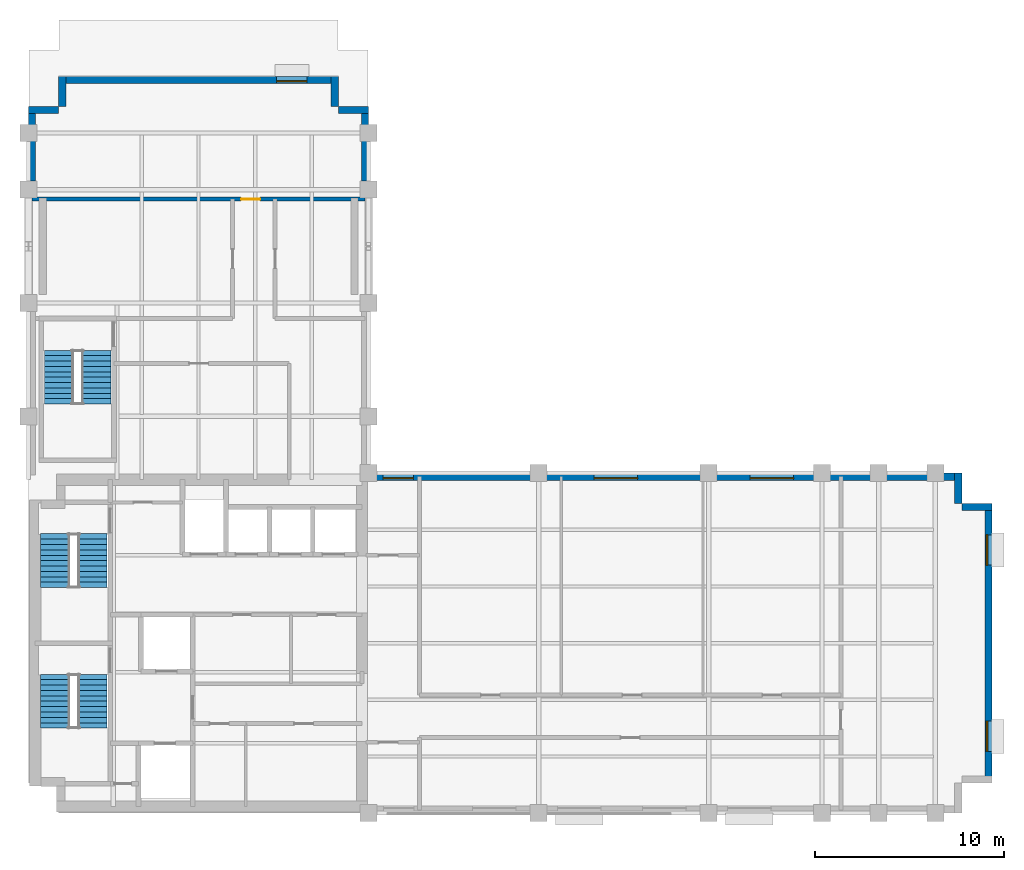
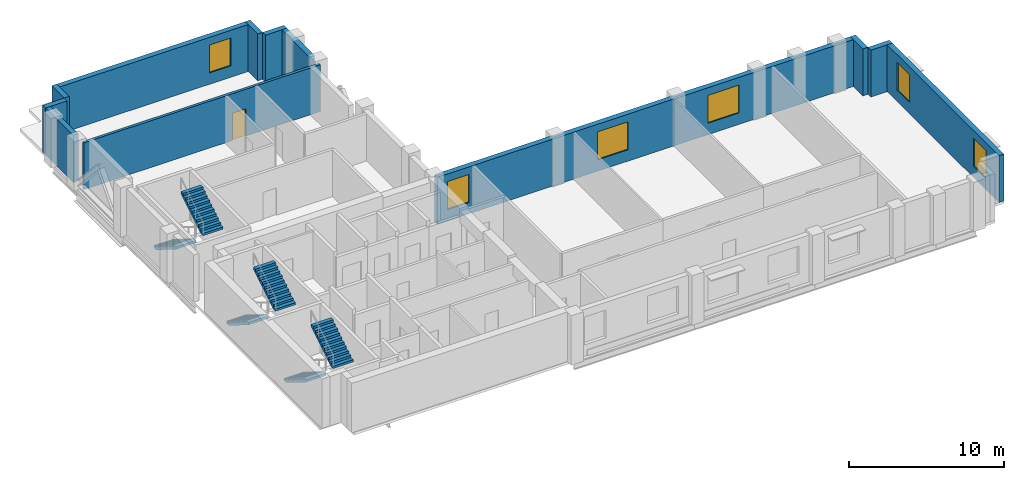
# One storey, part 5 of 6: 12 walls, 6 stair flights, 6 windows, 1 door, 7 openings, 3 elements without a shape of their own.
"""IFC4 building model written with IfcOpenShell, lengths in metres."""

from ifc_helpers import new_model, si_unit, direction, frame, frame_2d, origin, place, context, subcontext, project, spatial, polyline, rectangle, outline, extrude, material, layer, layer_set, type_object, element, fill, aggregate, save


model = new_model("IFC4")

# Units and contexts
model_context = context("Model", 3, precision=1e-05, world=origin(), true_north=direction((0.0, 1.0)))
body_context = subcontext(model_context, "Body", "Model", "MODEL_VIEW")
ifc_project = project(units=[si_unit("LENGTHUNIT", "METRE"), si_unit("AREAUNIT", "SQUARE_METRE"), si_unit("VOLUMEUNIT", "CUBIC_METRE"), si_unit("PLANEANGLEUNIT", "RADIAN"), si_unit("MASSUNIT", "GRAM", prefix="KILO")], contexts=[model_context])

# Site, building, storey
site_placement = place(None, origin())
site = spatial("IfcSite", under=ifc_project, at=site_placement, CompositionType="ELEMENT")
building_placement = place(site_placement, origin())
building = spatial("IfcBuilding", under=site, at=building_placement, Name="Mawjdan Bourse Tower", CompositionType="ELEMENT")
storey_placement = place(building_placement, frame((0.0, 0.0, 199.5)))
storey = spatial("IfcBuildingStorey", under=building, at=storey_placement, Name="L48", CompositionType="ELEMENT", Elevation=199.5)

# Wall, openings, windows
ifc_material_1 = material(Name="Brick Masonry Terracotta Red", Category="masonry")
ifc_layer_1 = layer(ifc_material_1, 0.3798828125)
ifc_layer_set_1 = layer_set([ifc_layer_1], Name="Brick Masonry Terracotta Red")
wall_type_1 = type_object("IfcWallType", Name="WL-BRK-RED-380", PredefinedType="STANDARD", material=ifc_layer_set_1)
wall_1_placement = place(storey_placement, frame((56.81005859375, 4.60009765625, 0.0), z_axis=(0.0, 0.0, 1.0), x_axis=(0.0, 1.0, 0.0)))
wall_1 = element("IfcWall", 1, at=wall_1_placement, inside=storey, type_object=wall_type_1, Name="L48 Exterior Brick Wall 4", PredefinedType="STANDARD", context=body_context, shape_type="SweptSolid", body=[
    extrude(rectangle(XDim=14.7998046875, YDim=0.3798828125, at=frame_2d((7.39990234375, 0.0))), origin(), (0.0, 0.0, 1.0), 3.699951171875),
])
opening_1_placement = place(wall_1_placement, frame((1.666748046875, 0.0, 0.89990234375)))
opening_1 = element("IfcOpeningElement", 2, at=opening_1_placement, cuts=wall_1, Name="Opening W-L48-05", PredefinedType="OPENING", context=body_context, shape_type="SweptSolid", body=[
    extrude(rectangle(XDim=1.60009765625, YDim=2.199951171875, at=frame_2d((0.800048828125, 1.10009765625))), frame((0.0, 0.199951171875, 0.0), z_axis=(0.0, -1.0, 0.0), x_axis=(1.0, 0.0, 0.0)), (0.0, 0.0, 1.0), 0.39990234375),
])
opening_2_placement = place(wall_1_placement, frame((11.533203125, 0.0, 0.89990234375)))
opening_2 = element("IfcOpeningElement", 3, at=opening_2_placement, cuts=wall_1, Name="Opening W-L48-06", PredefinedType="OPENING", context=body_context, shape_type="SweptSolid", body=[
    extrude(rectangle(XDim=1.60009765625, YDim=2.199951171875, at=frame_2d((0.800048828125, 1.10009765625))), frame((0.0, 0.199951171875, 0.0), z_axis=(0.0, -1.0, 0.0), x_axis=(1.0, 0.0, 0.0)), (0.0, 0.0, 1.0), 0.39990234375),
])
ifc_material_2 = material(Name="Solar-Control Clear Double Glazing", Category="glass")
window_type_1 = type_object("IfcWindowType", Name="WN-Z3-1600", PartitioningType="SINGLE_PANEL", PredefinedType="WINDOW", material=ifc_material_2)
window_1_placement = place(opening_1_placement, origin())
window_1 = element("IfcWindow", 4, at=window_1_placement, inside=storey, type_object=window_type_1, Name="L48 Deep-Set Masonry Window W-L48-05", OverallHeight=2.199951171875, OverallWidth=1.60009765625, PartitioningType="SINGLE_PANEL", PredefinedType="WINDOW", context=body_context, shape_type="SweptSolid", body=[
    extrude(rectangle(XDim=1.60009765625, YDim=2.199951171875, at=frame_2d((0.800048828125, 1.10009765625))), frame((0.0, 0.110107421875, 0.0), z_axis=(0.0, -1.0, 0.0), x_axis=(1.0, 0.0, 0.0)), (0.0, 0.0, 1.0), 0.06005859375),
])
fill(opening_1, window_1)
window_2_placement = place(opening_2_placement, origin())
window_2 = element("IfcWindow", 5, at=window_2_placement, inside=storey, type_object=window_type_1, Name="L48 Deep-Set Masonry Window W-L48-06", OverallHeight=2.199951171875, OverallWidth=1.60009765625, PartitioningType="SINGLE_PANEL", PredefinedType="WINDOW", context=body_context, shape_type="SweptSolid", body=[
    extrude(rectangle(XDim=1.60009765625, YDim=2.199951171875, at=frame_2d((0.800048828125, 1.10009765625))), frame((0.0, 0.110107421875, 0.0), z_axis=(0.0, -1.0, 0.0), x_axis=(1.0, 0.0, 0.0)), (0.0, 0.0, 1.0), 0.06005859375),
])
fill(opening_2, window_2)

# Walls
for number, where, z_axis, x_axis, name in (
    (6, (57.0, 19.2099609375, 0.0), (0.0, 0.0, 1.0), (-1.0, 0.0, 0.0), "L48 Exterior Brick Wall 5"),
    (7, (55.2099609375, 19.39990234375, 0.0), (0.0, 0.0, 1.0), (0.0, 1.0, 0.0), "L48 Exterior Brick Wall 6"),
):
    element("IfcWall", number, at=place(storey_placement, frame(where, z_axis=z_axis, x_axis=x_axis)), inside=storey, type_object=wall_type_1, Name=name, PredefinedType="STANDARD", context=body_context, shape_type="SweptSolid", body=[
        extrude(rectangle(XDim=1.60009765625, YDim=0.3798828125, at=frame_2d((0.800048828125, 0.0))), origin(), (0.0, 0.0, 1.0), 3.699951171875),
    ])

# Wall, openings, windows
wall_2_placement = place(storey_placement, frame((55.39990234375, 20.81005859375, 0.0), z_axis=(0.0, 0.0, 1.0), x_axis=(-1.0, 0.0, 0.0)))
wall_2 = element("IfcWall", 8, at=wall_2_placement, inside=storey, type_object=wall_type_1, Name="L48 Exterior Brick Wall 7", PredefinedType="STANDARD", context=body_context, shape_type="SweptSolid", body=[
    extrude(rectangle(XDim=31.39990234375, YDim=0.3798828125, at=frame_2d((15.699951171875, 0.0))), origin(), (0.0, 0.0, 1.0), 3.699951171875),
])
opening_3_placement = place(wall_2_placement, frame((17.166748046875, 0.0, 0.89990234375)))
opening_3 = element("IfcOpeningElement", 9, at=opening_3_placement, cuts=wall_2, Name="Opening W-L48-07", PredefinedType="OPENING", context=body_context, shape_type="SweptSolid", body=[
    extrude(rectangle(XDim=2.300048828125, YDim=2.199951171875, at=frame_2d((1.14990234375, 1.10009765625))), frame((0.0, 0.199951171875, 0.0), z_axis=(0.0, -1.0, 0.0), x_axis=(1.0, 0.0, 0.0)), (0.0, 0.0, 1.0), 0.39990234375),
])
opening_4_placement = place(wall_2_placement, frame((29.03369140625, 0.0, 0.89990234375)))
opening_4 = element("IfcOpeningElement", 10, at=opening_4_placement, cuts=wall_2, Name="Opening W-L48-10", PredefinedType="OPENING", context=body_context, shape_type="SweptSolid", body=[
    extrude(rectangle(XDim=1.60009765625, YDim=2.199951171875, at=frame_2d((0.800048828125, 1.10009765625))), frame((0.0, 0.199951171875, 0.0), z_axis=(0.0, -1.0, 0.0), x_axis=(1.0, 0.0, 0.0)), (0.0, 0.0, 1.0), 0.39990234375),
])
opening_5_placement = place(wall_2_placement, frame((8.904296875, 0.0, 0.89990234375)))
opening_5 = element("IfcOpeningElement", 11, at=opening_5_placement, cuts=wall_2, Name="Opening W-L48-11", PredefinedType="OPENING", context=body_context, shape_type="SweptSolid", body=[
    extrude(rectangle(XDim=2.300048828125, YDim=2.199951171875, at=frame_2d((1.14990234375, 1.10009765625))), frame((0.0, 0.199951171875, 0.0), z_axis=(0.0, -1.0, 0.0), x_axis=(1.0, 0.0, 0.0)), (0.0, 0.0, 1.0), 0.39990234375),
])
window_3_placement = place(opening_4_placement, origin())
window_3 = element("IfcWindow", 12, at=window_3_placement, inside=storey, type_object=window_type_1, Name="L48 Deep-Set Masonry Window W-L48-10", OverallHeight=2.199951171875, OverallWidth=1.60009765625, PartitioningType="SINGLE_PANEL", PredefinedType="WINDOW", context=body_context, shape_type="SweptSolid", body=[
    extrude(rectangle(XDim=1.60009765625, YDim=2.199951171875, at=frame_2d((0.800048828125, 1.10009765625))), frame((0.0, 0.110107421875, 0.0), z_axis=(0.0, -1.0, 0.0), x_axis=(1.0, 0.0, 0.0)), (0.0, 0.0, 1.0), 0.06005859375),
])
fill(opening_4, window_3)
window_type_2 = type_object("IfcWindowType", Name="WN-Z3-2300", PartitioningType="SINGLE_PANEL", PredefinedType="WINDOW", material=ifc_material_2)
window_4_placement = place(opening_3_placement, origin())
window_4 = element("IfcWindow", 13, at=window_4_placement, inside=storey, type_object=window_type_2, Name="L48 Deep-Set Masonry Window W-L48-07", OverallHeight=2.199951171875, OverallWidth=2.300048828125, PartitioningType="SINGLE_PANEL", PredefinedType="WINDOW", context=body_context, shape_type="SweptSolid", body=[
    extrude(rectangle(XDim=2.300048828125, YDim=2.199951171875, at=frame_2d((1.14990234375, 1.10009765625))), frame((0.0, 0.110107421875, 0.0), z_axis=(0.0, -1.0, 0.0), x_axis=(1.0, 0.0, 0.0)), (0.0, 0.0, 1.0), 0.06005859375),
])
fill(opening_3, window_4)
window_5_placement = place(opening_5_placement, origin())
window_5 = element("IfcWindow", 14, at=window_5_placement, inside=storey, type_object=window_type_2, Name="L48 Deep-Set Masonry Window W-L48-11", OverallHeight=2.199951171875, OverallWidth=2.300048828125, PartitioningType="SINGLE_PANEL", PredefinedType="WINDOW", context=body_context, shape_type="SweptSolid", body=[
    extrude(rectangle(XDim=2.300048828125, YDim=2.199951171875, at=frame_2d((1.14990234375, 1.10009765625))), frame((0.0, 0.110107421875, 0.0), z_axis=(0.0, -1.0, 0.0), x_axis=(1.0, 0.0, 0.0)), (0.0, 0.0, 1.0), 0.06005859375),
])
fill(opening_5, window_5)

# Walls
wall_3_placement = place(storey_placement, frame((23.81005859375, 36.449951171875, 0.0), z_axis=(0.0, 0.0, 1.0), x_axis=(0.0, 1.0, 0.0)))
element("IfcWall", 15, at=wall_3_placement, inside=storey, type_object=wall_type_1, Name="L48 Exterior Brick Wall 8P3", PredefinedType="STANDARD", context=body_context, shape_type="SweptSolid", body=[
    extrude(rectangle(XDim=3.949951171875, YDim=0.3798828125, at=frame_2d((1.97509765625, 0.0))), origin(), (0.0, 0.0, 1.0), 3.699951171875),
])
for number, where, z_axis, x_axis, name in (
    (16, (24.0, 40.2099609375, 0.0), (0.0, 0.0, 1.0), (-1.0, 0.0, 0.0), "L48 Exterior Brick Wall 9"),
    (17, (22.2099609375, 40.39990234375, 0.0), (0.0, 0.0, 1.0), (0.0, 1.0, 0.0), "L48 Exterior Brick Wall 10"),
):
    element("IfcWall", number, at=place(storey_placement, frame(where, z_axis=z_axis, x_axis=x_axis)), inside=storey, type_object=wall_type_1, Name=name, PredefinedType="STANDARD", context=body_context, shape_type="SweptSolid", body=[
        extrude(rectangle(XDim=1.60009765625, YDim=0.3798828125, at=frame_2d((0.800048828125, 0.0))), origin(), (0.0, 0.0, 1.0), 3.699951171875),
    ])

# Wall, opening, window
wall_4_placement = place(storey_placement, frame((22.39990234375, 41.81005859375, 0.0), z_axis=(0.0, 0.0, 1.0), x_axis=(-1.0, 0.0, 0.0)))
wall_4 = element("IfcWall", 18, at=wall_4_placement, inside=storey, type_object=wall_type_1, Name="L48 Exterior Brick Wall 11", PredefinedType="STANDARD", context=body_context, shape_type="SweptSolid", body=[
    extrude(rectangle(XDim=14.7998046875, YDim=0.3798828125, at=frame_2d((7.39990234375, 0.0))), origin(), (0.0, 0.0, 1.0), 3.699951171875),
])
opening_6_placement = place(wall_4_placement, frame((1.666748046875, 0.0, 0.89990234375)))
opening_6 = element("IfcOpeningElement", 19, at=opening_6_placement, cuts=wall_4, Name="Opening W-L48-08", PredefinedType="OPENING", context=body_context, shape_type="SweptSolid", body=[
    extrude(rectangle(XDim=1.60009765625, YDim=2.199951171875, at=frame_2d((0.800048828125, 1.10009765625))), frame((0.0, 0.199951171875, 0.0), z_axis=(0.0, -1.0, 0.0), x_axis=(1.0, 0.0, 0.0)), (0.0, 0.0, 1.0), 0.39990234375),
])
window_6_placement = place(opening_6_placement, origin())
window_6 = element("IfcWindow", 20, at=window_6_placement, inside=storey, type_object=window_type_1, Name="L48 Deep-Set Masonry Window W-L48-08", OverallHeight=2.199951171875, OverallWidth=1.60009765625, PartitioningType="SINGLE_PANEL", PredefinedType="WINDOW", context=body_context, shape_type="SweptSolid", body=[
    extrude(rectangle(XDim=1.60009765625, YDim=2.199951171875, at=frame_2d((0.800048828125, 1.10009765625))), frame((0.0, 0.110107421875, 0.0), z_axis=(0.0, -1.0, 0.0), x_axis=(1.0, 0.0, 0.0)), (0.0, 0.0, 1.0), 0.06005859375),
])
fill(opening_6, window_6)

# Walls
for number, where, z_axis, x_axis, name in (
    (21, (7.7900390625, 42.0, 0.0), (0.0, 0.0, 1.0), (0.0, -1.0, 0.0), "L48 Exterior Brick Wall 12"),
    (22, (7.60009765625, 40.2099609375, 0.0), (0.0, 0.0, 1.0), (-1.0, 0.0, 0.0), "L48 Exterior Brick Wall 13"),
):
    element("IfcWall", number, at=place(storey_placement, frame(where, z_axis=z_axis, x_axis=x_axis)), inside=storey, type_object=wall_type_1, Name=name, PredefinedType="STANDARD", context=body_context, shape_type="SweptSolid", body=[
        extrude(rectangle(XDim=1.60009765625, YDim=0.3798828125, at=frame_2d((0.800048828125, 0.0))), origin(), (0.0, 0.0, 1.0), 3.699951171875),
    ])
wall_5_placement = place(storey_placement, frame((6.18994140625, 40.39990234375, 0.0), z_axis=(0.0, 0.0, 1.0), x_axis=(0.0, -1.0, 0.0)))
element("IfcWall", 23, at=wall_5_placement, inside=storey, type_object=wall_type_1, Name="L48 Exterior Brick Wall 14P1", PredefinedType="STANDARD", context=body_context, shape_type="SweptSolid", body=[
    extrude(rectangle(XDim=3.949951171875, YDim=0.3798828125, at=frame_2d((1.97509765625, 0.0))), origin(), (0.0, 0.0, 1.0), 3.699951171875),
])

# Wall, opening, door
ifc_material_3 = material(Name="Gypsum Fireboard Assembly")
ifc_layer_2 = layer(ifc_material_3, 0.199951171875)
ifc_layer_set_2 = layer_set([ifc_layer_2], Name="Gypsum Fireboard Assembly")
wall_type_2 = type_object("IfcWallType", Name="WL-CMP-200", PredefinedType="PARTITIONING", material=ifc_layer_set_2)
wall_6_placement = place(storey_placement, frame((6.179931640625, 35.5, 0.0), z_axis=(0.0, 0.0, 1.0), x_axis=(1.0, 0.0, 0.0)))
wall_6 = element("IfcWall", 24, at=wall_6_placement, inside=storey, type_object=wall_type_2, Name="L48 North Tip Full Cross Wall", PredefinedType="PARTITIONING", context=body_context, shape_type="SweptSolid", body=[
    extrude(rectangle(XDim=17.64013671875, YDim=0.199951171875, at=frame_2d((8.820068359375, 0.0))), origin(), (0.0, 0.0, 1.0), 3.68994140625),
])
opening_7_placement = place(wall_6_placement, frame((11.074951171875, 0.0, 0.0)))
opening_7 = element("IfcOpeningElement", 25, at=opening_7_placement, cuts=wall_6, Name="Opening D-L48-29", PredefinedType="OPENING", context=body_context, shape_type="SweptSolid", body=[
    extrude(rectangle(XDim=1.0, YDim=2.14990234375, at=frame_2d((0.5, 1.074951171875))), frame((0.0, 0.10986328125, 0.0), z_axis=(0.0, -1.0, 0.0), x_axis=(1.0, 0.0, 0.0)), (0.0, 0.0, 1.0), 0.219970703125),
])
ifc_material_4 = material(Name="Hardwood Acoustic Leaf", Category="wood")
door_type = type_object("IfcDoorType", Name="DR-OFC-1000", OperationType="NOTDEFINED", PredefinedType="DOOR", material=ifc_material_4)
door_placement = place(opening_7_placement, origin())
door = element("IfcDoor", 26, at=door_placement, inside=storey, type_object=door_type, Name="L48 North Tip Suite Door D-L48-29", OperationType="SINGLE_SWING_LEFT", OverallHeight=2.14990234375, OverallWidth=1.0, PredefinedType="DOOR", context=body_context, shape_type="SweptSolid", body=[
    extrude(rectangle(XDim=1.0, YDim=2.14990234375, at=frame_2d((0.5, 1.074951171875))), frame((0.0, 0.02490234375, 0.0), z_axis=(0.0, -1.0, 0.0), x_axis=(1.0, 0.0, 0.0)), (0.0, 0.0, 1.0), 0.050048828125),
])
fill(opening_7, door)

# Stair, stair flights
ifc_material_5 = material(Name="Concrete C50/60", Category="concrete")
stair_type = type_object("IfcStairType", Name="STR-CORE-1500", PredefinedType="HALF_TURN_STAIR", material=ifc_material_5)
stair_1_placement = place(storey_placement, origin())
stair_1 = element("IfcStair", 27, at=stair_1_placement, inside=storey, type_object=stair_type, Name="L48 Exit Stair 1 (Core South-West)", PredefinedType="HALF_TURN_STAIR")
stair_flight_type = type_object("IfcStairFlightType", Name="SFL-RC-1500", PredefinedType="STRAIGHT", material=ifc_material_5)
stair_flight_1_placement = place(storey_placement, frame((7.389892578125, 10.35009765625, 0.0), z_axis=(0.0, 0.0, 1.0), x_axis=(0.0, -1.0, 0.0)))
stair_flight_1 = element("IfcStairFlight", 28, at=stair_flight_1_placement, type_object=stair_flight_type, Name="ST1-L48 flight 1", NumberOfRisers=11, NumberOfTreads=10, PredefinedType="STRAIGHT", RiserHeight=0.177273, TreadLength=0.285, context=body_context, shape_type="SweptSolid", body=[
    extrude(outline(polyline([(0.0, 0.0), (0.0, 0.17724609375), (0.284912109375, 0.17724609375), (0.284912109375, 0.3544921875), (0.570068359375, 0.3544921875), (0.570068359375, 0.53173828125), (0.85498046875, 0.53173828125), (0.85498046875, 0.708984375), (1.139892578125, 0.708984375), (1.139892578125, 0.886474609375), (1.425048828125, 0.886474609375), (1.425048828125, 1.063720703125), (1.7099609375, 1.063720703125), (1.7099609375, 1.240966796875), (1.9951171875, 1.240966796875), (1.9951171875, 1.418212890625), (2.280029296875, 1.418212890625), (2.280029296875, 1.595458984375), (2.56494140625, 1.595458984375), (2.56494140625, 1.772705078125), (2.85009765625, 1.772705078125), (2.85009765625, 1.949951171875), (2.85009765625, 1.58447265625), (0.302734375, 0.0), (0.0, 0.0)])), frame((0.0, 0.75, 0.0), z_axis=(0.0, -1.0, 0.0), x_axis=(1.0, 0.0, 0.0)), (0.0, 0.0, 1.0), 1.5),
])
stair_flight_2_placement = place(storey_placement, frame((9.409912109375, 7.5, 1.949951171875), z_axis=(0.0, 0.0, 1.0), x_axis=(0.0, 1.0, 0.0)))
stair_flight_2 = element("IfcStairFlight", 29, at=stair_flight_2_placement, type_object=stair_flight_type, Name="ST1-L48 flight 2", NumberOfRisers=11, NumberOfTreads=10, PredefinedType="STRAIGHT", RiserHeight=0.177273, TreadLength=0.285, context=body_context, shape_type="SweptSolid", body=[
    extrude(outline(polyline([(0.0, 0.0), (0.0, 0.17724609375), (0.284912109375, 0.17724609375), (0.284912109375, 0.3544921875), (0.570068359375, 0.3544921875), (0.570068359375, 0.53173828125), (0.85498046875, 0.53173828125), (0.85498046875, 0.708984375), (1.139892578125, 0.708984375), (1.139892578125, 0.886474609375), (1.425048828125, 0.886474609375), (1.425048828125, 1.063720703125), (1.7099609375, 1.063720703125), (1.7099609375, 1.240966796875), (1.9951171875, 1.240966796875), (1.9951171875, 1.418212890625), (2.280029296875, 1.418212890625), (2.280029296875, 1.595458984375), (2.56494140625, 1.595458984375), (2.56494140625, 1.772705078125), (2.85009765625, 1.772705078125), (2.85009765625, 1.949951171875), (2.85009765625, 1.58447265625), (0.302734375, 0.0), (0.0, 0.0)])), frame((0.0, 0.75, 0.0), z_axis=(0.0, -1.0, 0.0), x_axis=(1.0, 0.0, 0.0)), (0.0, 0.0, 1.0), 1.5),
])
aggregate(stair_1, [stair_flight_1, stair_flight_2])

stair_2_placement = place(storey_placement, origin())
stair_2 = element("IfcStair", 30, at=stair_2_placement, inside=storey, type_object=stair_type, Name="L48 Exit Stair 2 (Core North-West)", PredefinedType="HALF_TURN_STAIR")
stair_flight_3_placement = place(storey_placement, frame((7.389892578125, 17.7900390625, 0.0), z_axis=(0.0, 0.0, 1.0), x_axis=(0.0, -1.0, 0.0)))
stair_flight_3 = element("IfcStairFlight", 31, at=stair_flight_3_placement, type_object=stair_flight_type, Name="ST2-L48 flight 1", NumberOfRisers=11, NumberOfTreads=10, PredefinedType="STRAIGHT", RiserHeight=0.177273, TreadLength=0.285, context=body_context, shape_type="SweptSolid", body=[
    extrude(outline(polyline([(0.0, 0.0), (0.0, 0.17724609375), (0.284912109375, 0.17724609375), (0.284912109375, 0.3544921875), (0.570068359375, 0.3544921875), (0.570068359375, 0.53173828125), (0.85498046875, 0.53173828125), (0.85498046875, 0.708984375), (1.139892578125, 0.708984375), (1.139892578125, 0.886474609375), (1.425048828125, 0.886474609375), (1.425048828125, 1.063720703125), (1.7099609375, 1.063720703125), (1.7099609375, 1.240966796875), (1.9951171875, 1.240966796875), (1.9951171875, 1.418212890625), (2.280029296875, 1.418212890625), (2.280029296875, 1.595458984375), (2.56494140625, 1.595458984375), (2.56494140625, 1.772705078125), (2.85009765625, 1.772705078125), (2.85009765625, 1.949951171875), (2.85009765625, 1.58447265625), (0.302734375, 0.0), (0.0, 0.0)])), frame((0.0, 0.75, 0.0), z_axis=(0.0, -1.0, 0.0), x_axis=(1.0, 0.0, 0.0)), (0.0, 0.0, 1.0), 1.5),
])
stair_flight_4_placement = place(storey_placement, frame((9.409912109375, 14.93994140625, 1.949951171875), z_axis=(0.0, 0.0, 1.0), x_axis=(0.0, 1.0, 0.0)))
stair_flight_4 = element("IfcStairFlight", 32, at=stair_flight_4_placement, type_object=stair_flight_type, Name="ST2-L48 flight 2", NumberOfRisers=11, NumberOfTreads=10, PredefinedType="STRAIGHT", RiserHeight=0.177273, TreadLength=0.285, context=body_context, shape_type="SweptSolid", body=[
    extrude(outline(polyline([(0.0, 0.0), (0.0, 0.17724609375), (0.284912109375, 0.17724609375), (0.284912109375, 0.3544921875), (0.570068359375, 0.3544921875), (0.570068359375, 0.53173828125), (0.85498046875, 0.53173828125), (0.85498046875, 0.708984375), (1.139892578125, 0.708984375), (1.139892578125, 0.886474609375), (1.425048828125, 0.886474609375), (1.425048828125, 1.063720703125), (1.7099609375, 1.063720703125), (1.7099609375, 1.240966796875), (1.9951171875, 1.240966796875), (1.9951171875, 1.418212890625), (2.280029296875, 1.418212890625), (2.280029296875, 1.595458984375), (2.56494140625, 1.595458984375), (2.56494140625, 1.772705078125), (2.85009765625, 1.772705078125), (2.85009765625, 1.949951171875), (2.85009765625, 1.58447265625), (0.302734375, 0.0), (0.0, 0.0)])), frame((0.0, 0.75, 0.0), z_axis=(0.0, -1.0, 0.0), x_axis=(1.0, 0.0, 0.0)), (0.0, 0.0, 1.0), 1.5),
])
aggregate(stair_2, [stair_flight_3, stair_flight_4])

stair_3_placement = place(storey_placement, origin())
stair_3 = element("IfcStair", 33, at=stair_3_placement, inside=storey, type_object=stair_type, Name="L48 Exit Stair 3 (North Wing)", PredefinedType="HALF_TURN_STAIR")
stair_flight_5_placement = place(storey_placement, frame((7.590087890625, 27.5, 0.0), z_axis=(0.0, 0.0, 1.0), x_axis=(0.0, -1.0, 0.0)))
stair_flight_5 = element("IfcStairFlight", 34, at=stair_flight_5_placement, type_object=stair_flight_type, Name="ST3-L48 flight 1", NumberOfRisers=11, NumberOfTreads=10, PredefinedType="STRAIGHT", RiserHeight=0.177273, TreadLength=0.285, context=body_context, shape_type="SweptSolid", body=[
    extrude(outline(polyline([(0.0, 0.0), (0.0, 0.17724609375), (0.284912109375, 0.17724609375), (0.284912109375, 0.3544921875), (0.570068359375, 0.3544921875), (0.570068359375, 0.53173828125), (0.85498046875, 0.53173828125), (0.85498046875, 0.708984375), (1.139892578125, 0.708984375), (1.139892578125, 0.886474609375), (1.425048828125, 0.886474609375), (1.425048828125, 1.063720703125), (1.7099609375, 1.063720703125), (1.7099609375, 1.240966796875), (1.9951171875, 1.240966796875), (1.9951171875, 1.418212890625), (2.280029296875, 1.418212890625), (2.280029296875, 1.595458984375), (2.56494140625, 1.595458984375), (2.56494140625, 1.772705078125), (2.85009765625, 1.772705078125), (2.85009765625, 1.949951171875), (2.85009765625, 1.58447265625), (0.302734375, 0.0), (0.0, 0.0)])), frame((0.0, 0.75, 0.0), z_axis=(0.0, -1.0, 0.0), x_axis=(1.0, 0.0, 0.0)), (0.0, 0.0, 1.0), 1.5),
])
stair_flight_6_placement = place(storey_placement, frame((9.610107421875, 24.64990234375, 1.949951171875), z_axis=(0.0, 0.0, 1.0), x_axis=(0.0, 1.0, 0.0)))
stair_flight_6 = element("IfcStairFlight", 35, at=stair_flight_6_placement, type_object=stair_flight_type, Name="ST3-L48 flight 2", NumberOfRisers=11, NumberOfTreads=10, PredefinedType="STRAIGHT", RiserHeight=0.177273, TreadLength=0.285, context=body_context, shape_type="SweptSolid", body=[
    extrude(outline(polyline([(0.0, 0.0), (0.0, 0.17724609375), (0.284912109375, 0.17724609375), (0.284912109375, 0.3544921875), (0.570068359375, 0.3544921875), (0.570068359375, 0.53173828125), (0.85498046875, 0.53173828125), (0.85498046875, 0.708984375), (1.139892578125, 0.708984375), (1.139892578125, 0.886474609375), (1.425048828125, 0.886474609375), (1.425048828125, 1.063720703125), (1.7099609375, 1.063720703125), (1.7099609375, 1.240966796875), (1.9951171875, 1.240966796875), (1.9951171875, 1.418212890625), (2.280029296875, 1.418212890625), (2.280029296875, 1.595458984375), (2.56494140625, 1.595458984375), (2.56494140625, 1.772705078125), (2.85009765625, 1.772705078125), (2.85009765625, 1.949951171875), (2.85009765625, 1.58447265625), (0.302734375, 0.0), (0.0, 0.0)])), frame((0.0, 0.75, 0.0), z_axis=(0.0, -1.0, 0.0), x_axis=(1.0, 0.0, 0.0)), (0.0, 0.0, 1.0), 1.5),
])
aggregate(stair_3, [stair_flight_5, stair_flight_6])

save(model, "model.ifc")
